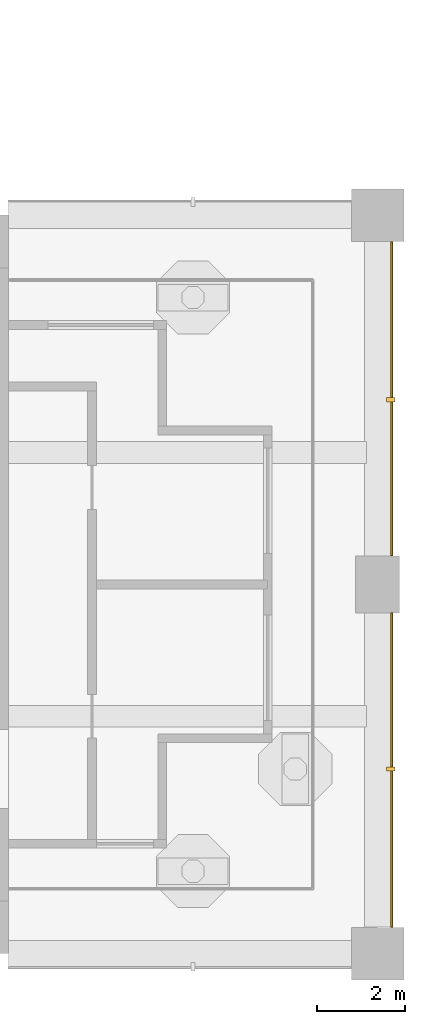
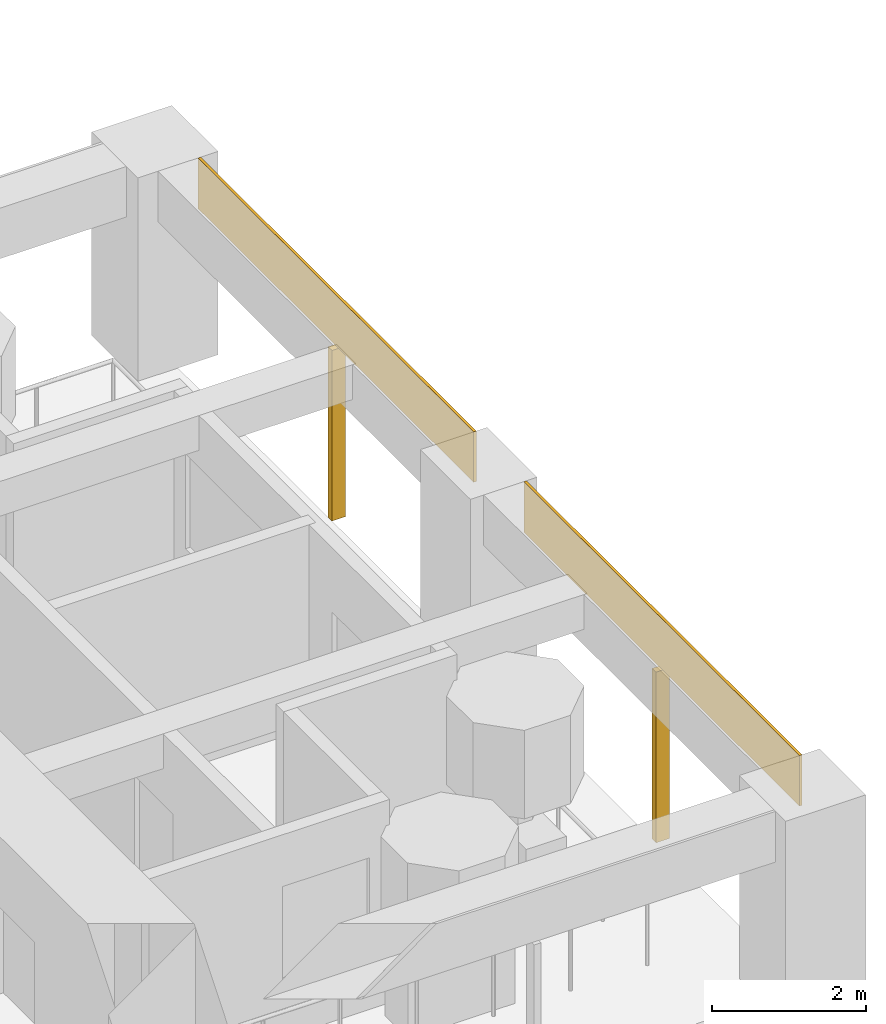
# One storey, part 15 of 18: 4 shading devices.
"""IFC4 building model written with IfcOpenShell, lengths in metres."""

from ifc_helpers import new_model, si_unit, direction, frame, origin, origin_2d, place, context, subcontext, project, spatial, rectangle, extrude, material, layer, layer_set, material_profile, profile_set, type_object, element, save


model = new_model("IFC4")

# Units and contexts
model_context = context("Model", 3, precision=1e-05, world=origin(), true_north=direction((0.0, 1.0)))
body_context = subcontext(model_context, "Body", "Model", "MODEL_VIEW")
ifc_project = project(units=[si_unit("LENGTHUNIT", "METRE"), si_unit("AREAUNIT", "SQUARE_METRE"), si_unit("VOLUMEUNIT", "CUBIC_METRE"), si_unit("PLANEANGLEUNIT", "RADIAN"), si_unit("MASSUNIT", "GRAM", prefix="KILO")], contexts=[model_context])

# Site, building, storey
site_placement = place(None, origin())
site = spatial("IfcSite", under=ifc_project, at=site_placement, CompositionType="ELEMENT")
building_placement = place(site_placement, origin())
building = spatial("IfcBuilding", under=site, at=building_placement, Name="Vermilion Gate Residences", CompositionType="ELEMENT")
storey_placement = place(building_placement, frame((0.0, 0.0, 133.699951171875)))
storey = spatial("IfcBuildingStorey", under=building, at=storey_placement, Name="L34", CompositionType="ELEMENT", Elevation=133.699951171875)

# Shading devices
ifc_material_1 = material(Name="Perforated terracotta", Category="masonry")
ifc_layer = layer(ifc_material_1, 0.0400390625)
ifc_layer_set = layer_set([ifc_layer], Name="PERFORATED TERRACOTTA SCREEN 40")
shading_device_type_1 = type_object("IfcShadingDeviceType", Name="PERFORATED TERRACOTTA SCREEN 40", PredefinedType="SHUTTER", material=ifc_layer_set)
for number, where, z_axis, x_axis, name in (
    (1, (67.52001953125, 12.574951171875, 2.419921875), (0.0, 0.0, 1.0), (0.0, 1.0, 0.0), "SCREEN"),
    (2, (67.52001953125, 21.02490234375, 2.419921875), (0.0, 0.0, 1.0), (0.0, 1.0, 0.0), "SCREEN"),
):
    element("IfcShadingDevice", number, at=place(storey_placement, frame(where, z_axis=z_axis, x_axis=x_axis)), inside=storey, type_object=shading_device_type_1, Name=name, PredefinedType="SHUTTER", context=body_context, shape_type="SweptSolid", body=[
        extrude(rectangle(XDim=7.14990234375, YDim=0.0400390625, at=origin_2d()), origin(), (0.0, 0.0, 1.0), 0.800048828125),
    ])
ifc_material_2 = material(Name="Extruded terracotta", Category="masonry")
ifc_material_profile = material_profile(ifc_material_2, rectangle(XDim=0.199951171875, YDim=0.10009765625, at=origin_2d()), Name="BAGUETTE 100 X 200")
ifc_profile_set = profile_set([ifc_material_profile], Name="Extruded terracotta")
shading_device_type_2 = type_object("IfcShadingDeviceType", Name="TERRACOTTA BAGUETTE 100 X 200", PredefinedType="JALOUSIE", material=ifc_profile_set)
for number, where, z_axis, x_axis, name in (
    (3, (67.5, 12.60009765625, -0.280029296875), (0.0, 0.0, 1.0), (-1.0, 0.0, 0.0), "BAGUETTE"),
    (4, (67.5, 21.0, -0.280029296875), (0.0, 0.0, 1.0), (-1.0, 0.0, 0.0), "BAGUETTE"),
):
    element("IfcShadingDevice", number, at=place(storey_placement, frame(where, z_axis=z_axis, x_axis=x_axis)), inside=storey, type_object=shading_device_type_2, Name=name, PredefinedType="JALOUSIE", context=body_context, shape_type="SweptSolid", body=[
        extrude(rectangle(XDim=0.199951171875, YDim=0.10009765625, at=origin_2d()), origin(), (0.0, 0.0, 1.0), 2.7001953125),
    ])

save(model, "model.ifc")
